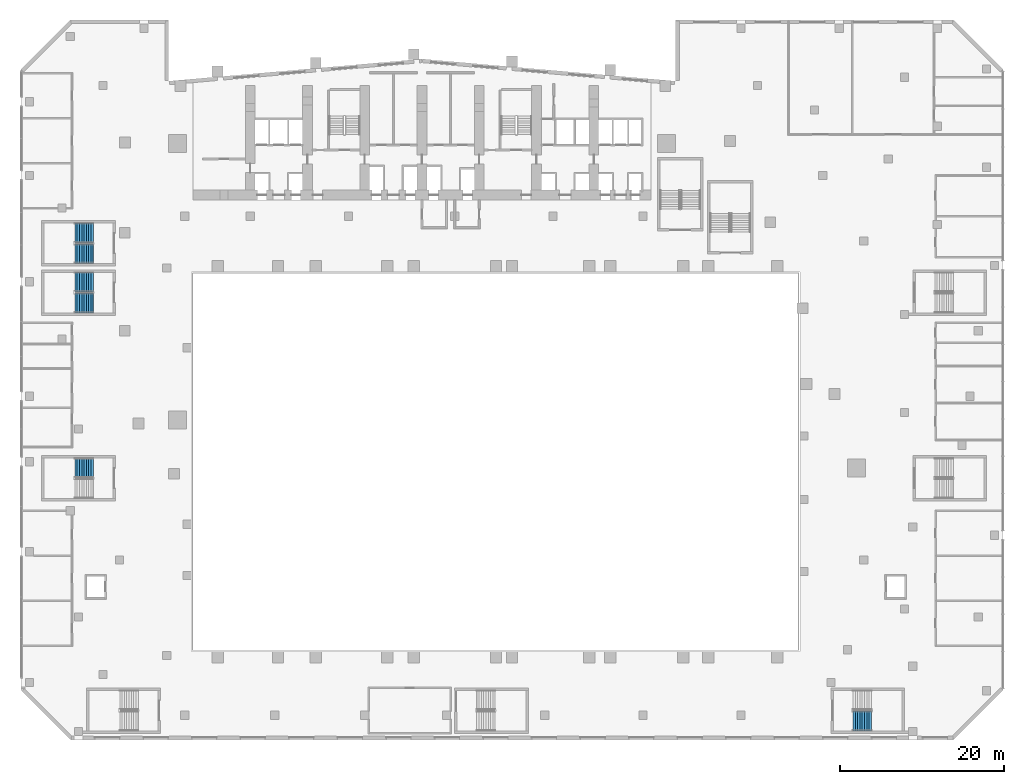
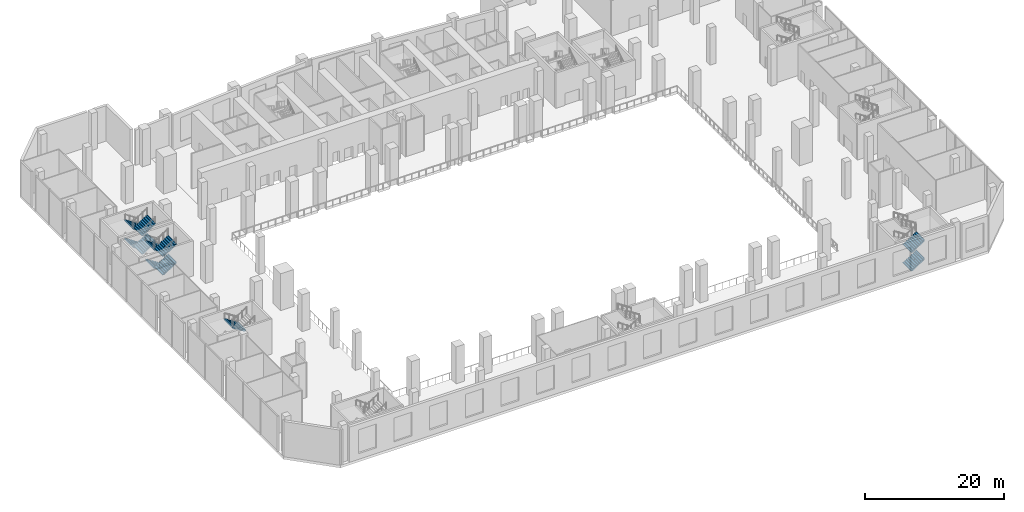
# One storey, part 19 of 30: 11 stair flights, 4 elements without a shape of their own.
"""IFC4 building model written with IfcOpenShell, lengths in metres."""

from ifc_helpers import new_model, si_unit, direction, frame, origin, place, context, subcontext, project, spatial, polyline, outline, extrude, material, type_object, element, aggregate, save


model = new_model("IFC4")

# Units and contexts
model_context = context("Model", 3, precision=1e-05, world=origin(), true_north=direction((0.0, 1.0)))
body_context = subcontext(model_context, "Body", "Model", "MODEL_VIEW")
ifc_project = project(units=[si_unit("LENGTHUNIT", "METRE"), si_unit("AREAUNIT", "SQUARE_METRE"), si_unit("VOLUMEUNIT", "CUBIC_METRE"), si_unit("PLANEANGLEUNIT", "RADIAN"), si_unit("MASSUNIT", "GRAM", prefix="KILO")], contexts=[model_context])

# Site, building, storey
site_placement = place(None, origin())
site = spatial("IfcSite", under=ifc_project, at=site_placement, CompositionType="ELEMENT")
building_placement = place(site_placement, origin())
building = spatial("IfcBuilding", under=site, at=building_placement, Name="Wharfspan Tower", CompositionType="ELEMENT")
storey_placement = place(building_placement, frame((0.0, 0.0, 15.0)))
storey = spatial("IfcBuildingStorey", under=building, at=storey_placement, Name="L02", CompositionType="ELEMENT", Elevation=15.0)

# Stair, stair flights
ifc_material = material(Name="Concrete C40/50", Category="concrete")
stair_type = type_object("IfcStairType", Name="Half-turn stair 2400 wide 36 risers 181 mm", PredefinedType="HALF_TURN_STAIR", material=ifc_material)
stair_1_placement = place(storey_placement, origin())
stair_1 = element("IfcStair", 1, at=stair_1_placement, inside=storey, type_object=stair_type, Name="L02 stair AS2", PredefinedType="HALF_TURN_STAIR")
stair_flight_type = type_object("IfcStairFlightType", Name="Stair flight 2400 wide 36 risers 181 mm", PredefinedType="STRAIGHT", material=ifc_material)
stair_flight_1_placement = place(storey_placement, frame((89.699951, -29.699951, 0.0), z_axis=(0.0, 0.0, 1.0), x_axis=(1.0, 0.0, 0.0)))
stair_flight_1 = element("IfcStairFlight", 2, at=stair_flight_1_placement, type_object=stair_flight_type, Name="AS2 flight 1", NumberOfRisers=9, NumberOfTreads=8, PredefinedType="STRAIGHT", RiserHeight=0.180556, TreadLength=0.28, context=body_context, shape_type="SweptSolid", body=[
    extrude(outline(polyline([(-0.011963, 0.0), (-0.011963, 0.180664), (0.0, 0.180664), (0.280029, 0.180664), (0.280029, 0.361084), (0.560059, 0.361084), (0.560059, 0.541748), (0.840088, 0.541748), (0.840088, 0.722168), (1.120117, 0.722168), (1.120117, 0.902832), (1.399902, 0.902832), (1.399902, 1.083252), (1.679932, 1.083252), (1.679932, 1.263916), (1.959961, 1.263916), (1.959961, 1.444336), (2.23999, 1.444336), (2.251953, 1.625), (2.251953, 1.266113), (0.276611, 0.0), (-0.011963, 0.0)])), frame((0.0, 1.199951, 0.0), z_axis=(0.0, -1.0, 0.0), x_axis=(1.0, 0.0, 0.0)), (0.0, 0.0, 1.0), 1.179443),
    extrude(outline(polyline([(-0.011963, 0.0), (-0.011963, 0.180664), (0.0, 0.180664), (0.280029, 0.180664), (0.280029, 0.361084), (0.560059, 0.361084), (0.560059, 0.541748), (0.840088, 0.541748), (0.840088, 0.722168), (1.120117, 0.722168), (1.120117, 0.902832), (1.399902, 0.902832), (1.399902, 1.083252), (1.679932, 1.083252), (1.679932, 1.263916), (1.959961, 1.263916), (1.959961, 1.444336), (2.23999, 1.444336), (2.251953, 1.625), (2.251953, 1.266113), (0.276611, 0.0), (-0.011963, 0.0)])), frame((0.0, 0.019531, 0.0), z_axis=(0.0, -1.0, 0.0), x_axis=(1.0, 0.0, 0.0)), (0.0, 0.0, 1.0), 0.019043),
    extrude(outline(polyline([(-0.011963, 0.0), (-0.011963, 0.180664), (0.0, 0.180664), (0.280029, 0.180664), (0.280029, 0.361084), (0.560059, 0.361084), (0.560059, 0.541748), (0.840088, 0.541748), (0.840088, 0.722168), (1.120117, 0.722168), (1.120117, 0.902832), (1.399902, 0.902832), (1.399902, 1.083252), (1.679932, 1.083252), (1.679932, 1.263916), (1.959961, 1.263916), (1.959961, 1.444336), (2.23999, 1.444336), (2.251953, 1.625), (2.251953, 1.266113), (0.276611, 0.0), (-0.011963, 0.0)])), frame((0.0, -0.000488, 0.0), z_axis=(0.0, -1.0, 0.0), x_axis=(1.0, 0.0, 0.0)), (0.0, 0.0, 1.0), 0.019043),
    extrude(outline(polyline([(-0.011963, 0.0), (-0.011963, 0.180664), (0.0, 0.180664), (0.280029, 0.180664), (0.280029, 0.361084), (0.560059, 0.361084), (0.560059, 0.541748), (0.840088, 0.541748), (0.840088, 0.722168), (1.120117, 0.722168), (1.120117, 0.902832), (1.399902, 0.902832), (1.399902, 1.083252), (1.679932, 1.083252), (1.679932, 1.263916), (1.959961, 1.263916), (1.959961, 1.444336), (2.23999, 1.444336), (2.251953, 1.625), (2.251953, 1.266113), (0.276611, 0.0), (-0.011963, 0.0)])), frame((0.0, -0.020508, 0.0), z_axis=(0.0, -1.0, 0.0), x_axis=(1.0, 0.0, 0.0)), (0.0, 0.0, 1.0), 1.179443),
])
stair_flight_2_placement = place(storey_placement, frame((89.699951, -29.699951, 3.25), z_axis=(0.0, 0.0, 1.0), x_axis=(1.0, 0.0, 0.0)))
stair_flight_2 = element("IfcStairFlight", 3, at=stair_flight_2_placement, type_object=stair_flight_type, Name="AS2 flight 3", NumberOfRisers=9, NumberOfTreads=8, PredefinedType="STRAIGHT", RiserHeight=0.180556, TreadLength=0.28, context=body_context, shape_type="SweptSolid", body=[
    extrude(outline(polyline([(-0.011963, 0.0), (-0.011963, 0.180664), (0.0, 0.180664), (0.280029, 0.180664), (0.280029, 0.361084), (0.560059, 0.361084), (0.560059, 0.541748), (0.840088, 0.541748), (0.840088, 0.722168), (1.120117, 0.722168), (1.120117, 0.902832), (1.399902, 0.902832), (1.399902, 1.083252), (1.679932, 1.083252), (1.679932, 1.263916), (1.959961, 1.263916), (1.959961, 1.444336), (2.23999, 1.444336), (2.251953, 1.625), (2.251953, 1.266113), (0.276611, 0.0), (-0.011963, 0.0)])), frame((0.0, 1.199951, 0.0), z_axis=(0.0, -1.0, 0.0), x_axis=(1.0, 0.0, 0.0)), (0.0, 0.0, 1.0), 1.179443),
    extrude(outline(polyline([(-0.011963, 0.0), (-0.011963, 0.180664), (0.0, 0.180664), (0.280029, 0.180664), (0.280029, 0.361084), (0.560059, 0.361084), (0.560059, 0.541748), (0.840088, 0.541748), (0.840088, 0.722168), (1.120117, 0.722168), (1.120117, 0.902832), (1.399902, 0.902832), (1.399902, 1.083252), (1.679932, 1.083252), (1.679932, 1.263916), (1.959961, 1.263916), (1.959961, 1.444336), (2.23999, 1.444336), (2.251953, 1.625), (2.251953, 1.266113), (0.276611, 0.0), (-0.011963, 0.0)])), frame((0.0, 0.019531, 0.0), z_axis=(0.0, -1.0, 0.0), x_axis=(1.0, 0.0, 0.0)), (0.0, 0.0, 1.0), 0.019043),
    extrude(outline(polyline([(-0.011963, 0.0), (-0.011963, 0.180664), (0.0, 0.180664), (0.280029, 0.180664), (0.280029, 0.361084), (0.560059, 0.361084), (0.560059, 0.541748), (0.840088, 0.541748), (0.840088, 0.722168), (1.120117, 0.722168), (1.120117, 0.902832), (1.399902, 0.902832), (1.399902, 1.083252), (1.679932, 1.083252), (1.679932, 1.263916), (1.959961, 1.263916), (1.959961, 1.444336), (2.23999, 1.444336), (2.251953, 1.625), (2.251953, 1.266113), (0.276611, 0.0), (-0.011963, 0.0)])), frame((0.0, -0.000488, 0.0), z_axis=(0.0, -1.0, 0.0), x_axis=(1.0, 0.0, 0.0)), (0.0, 0.0, 1.0), 0.019043),
    extrude(outline(polyline([(-0.011963, 0.0), (-0.011963, 0.180664), (0.0, 0.180664), (0.280029, 0.180664), (0.280029, 0.361084), (0.560059, 0.361084), (0.560059, 0.541748), (0.840088, 0.541748), (0.840088, 0.722168), (1.120117, 0.722168), (1.120117, 0.902832), (1.399902, 0.902832), (1.399902, 1.083252), (1.679932, 1.083252), (1.679932, 1.263916), (1.959961, 1.263916), (1.959961, 1.444336), (2.23999, 1.444336), (2.251953, 1.625), (2.251953, 1.266113), (0.276611, 0.0), (-0.011963, 0.0)])), frame((0.0, -0.020508, 0.0), z_axis=(0.0, -1.0, 0.0), x_axis=(1.0, 0.0, 0.0)), (0.0, 0.0, 1.0), 1.179443),
])
aggregate(stair_1, [stair_flight_1, stair_flight_2])

# Stair, stair flight
stair_2_placement = place(storey_placement, origin())
stair_2 = element("IfcStair", 4, at=stair_2_placement, inside=storey, type_object=stair_type, Name="L02 stair AS7", PredefinedType="HALF_TURN_STAIR")
stair_flight_3_placement = place(storey_placement, frame((-3.199951, 1.25, 3.25), z_axis=(0.0, 0.0, 1.0), x_axis=(-1.0, 0.0, 0.0)))
stair_flight_3 = element("IfcStairFlight", 5, at=stair_flight_3_placement, type_object=stair_flight_type, Name="AS7 flight 3", NumberOfRisers=9, NumberOfTreads=8, PredefinedType="STRAIGHT", RiserHeight=0.180556, TreadLength=0.28, context=body_context, shape_type="SweptSolid", body=[
    extrude(outline(polyline([(-0.011963, 0.0), (-0.011963, 0.180664), (0.0, 0.180664), (0.280029, 0.180664), (0.280029, 0.361084), (0.560059, 0.361084), (0.560059, 0.541748), (0.840088, 0.541748), (0.840088, 0.722168), (1.120117, 0.722168), (1.120117, 0.902832), (1.399902, 0.902832), (1.399902, 1.083252), (1.679932, 1.083252), (1.679932, 1.263916), (1.959961, 1.263916), (1.959961, 1.444336), (2.23999, 1.444336), (2.251953, 1.625), (2.251953, 1.266113), (0.276611, 0.0), (-0.011963, 0.0)])), frame((0.0, 1.199951, 0.0), z_axis=(0.0, -1.0, 0.0), x_axis=(1.0, 0.0, 0.0)), (0.0, 0.0, 1.0), 1.179443),
    extrude(outline(polyline([(-0.011963, 0.0), (-0.011963, 0.180664), (0.0, 0.180664), (0.280029, 0.180664), (0.280029, 0.361084), (0.560059, 0.361084), (0.560059, 0.541748), (0.840088, 0.541748), (0.840088, 0.722168), (1.120117, 0.722168), (1.120117, 0.902832), (1.399902, 0.902832), (1.399902, 1.083252), (1.679932, 1.083252), (1.679932, 1.263916), (1.959961, 1.263916), (1.959961, 1.444336), (2.23999, 1.444336), (2.251953, 1.625), (2.251953, 1.266113), (0.276611, 0.0), (-0.011963, 0.0)])), frame((0.0, 0.019531, 0.0), z_axis=(0.0, -1.0, 0.0), x_axis=(1.0, 0.0, 0.0)), (0.0, 0.0, 1.0), 0.019043),
    extrude(outline(polyline([(-0.011963, 0.0), (-0.011963, 0.180664), (0.0, 0.180664), (0.280029, 0.180664), (0.280029, 0.361084), (0.560059, 0.361084), (0.560059, 0.541748), (0.840088, 0.541748), (0.840088, 0.722168), (1.120117, 0.722168), (1.120117, 0.902832), (1.399902, 0.902832), (1.399902, 1.083252), (1.679932, 1.083252), (1.679932, 1.263916), (1.959961, 1.263916), (1.959961, 1.444336), (2.23999, 1.444336), (2.251953, 1.625), (2.251953, 1.266113), (0.276611, 0.0), (-0.011963, 0.0)])), frame((0.0, -0.000488, 0.0), z_axis=(0.0, -1.0, 0.0), x_axis=(1.0, 0.0, 0.0)), (0.0, 0.0, 1.0), 0.019043),
    extrude(outline(polyline([(-0.011963, 0.0), (-0.011963, 0.180664), (0.0, 0.180664), (0.280029, 0.180664), (0.280029, 0.361084), (0.560059, 0.361084), (0.560059, 0.541748), (0.840088, 0.541748), (0.840088, 0.722168), (1.120117, 0.722168), (1.120117, 0.902832), (1.399902, 0.902832), (1.399902, 1.083252), (1.679932, 1.083252), (1.679932, 1.263916), (1.959961, 1.263916), (1.959961, 1.444336), (2.23999, 1.444336), (2.251953, 1.625), (2.251953, 1.266113), (0.276611, 0.0), (-0.011963, 0.0)])), frame((0.0, -0.020508, 0.0), z_axis=(0.0, -1.0, 0.0), x_axis=(1.0, 0.0, 0.0)), (0.0, 0.0, 1.0), 1.179443),
])
aggregate(stair_2, [stair_flight_3])

# Stair, stair flights
stair_3_placement = place(storey_placement, origin())
stair_3 = element("IfcStair", 6, at=stair_3_placement, inside=storey, type_object=stair_type, Name="L02 stair AS3", PredefinedType="HALF_TURN_STAIR")
stair_flight_4_placement = place(storey_placement, frame((-3.199951, 23.949951, 0.0), z_axis=(0.0, 0.0, 1.0), x_axis=(-1.0, 0.0, 0.0)))
stair_flight_4 = element("IfcStairFlight", 7, at=stair_flight_4_placement, type_object=stair_flight_type, Name="AS3 flight 1", NumberOfRisers=9, NumberOfTreads=8, PredefinedType="STRAIGHT", RiserHeight=0.180556, TreadLength=0.28, context=body_context, shape_type="SweptSolid", body=[
    extrude(outline(polyline([(-0.011963, 0.0), (-0.011963, 0.180664), (0.0, 0.180664), (0.280029, 0.180664), (0.280029, 0.361084), (0.560059, 0.361084), (0.560059, 0.541748), (0.840088, 0.541748), (0.840088, 0.722168), (1.120117, 0.722168), (1.120117, 0.902832), (1.399902, 0.902832), (1.399902, 1.083252), (1.679932, 1.083252), (1.679932, 1.263916), (1.959961, 1.263916), (1.959961, 1.444336), (2.23999, 1.444336), (2.251953, 1.625), (2.251953, 1.266113), (0.276611, 0.0), (-0.011963, 0.0)])), frame((0.0, 1.199951, 0.0), z_axis=(0.0, -1.0, 0.0), x_axis=(1.0, 0.0, 0.0)), (0.0, 0.0, 1.0), 1.179443),
    extrude(outline(polyline([(-0.011963, 0.0), (-0.011963, 0.180664), (0.0, 0.180664), (0.280029, 0.180664), (0.280029, 0.361084), (0.560059, 0.361084), (0.560059, 0.541748), (0.840088, 0.541748), (0.840088, 0.722168), (1.120117, 0.722168), (1.120117, 0.902832), (1.399902, 0.902832), (1.399902, 1.083252), (1.679932, 1.083252), (1.679932, 1.263916), (1.959961, 1.263916), (1.959961, 1.444336), (2.23999, 1.444336), (2.251953, 1.625), (2.251953, 1.266113), (0.276611, 0.0), (-0.011963, 0.0)])), frame((0.0, 0.019531, 0.0), z_axis=(0.0, -1.0, 0.0), x_axis=(1.0, 0.0, 0.0)), (0.0, 0.0, 1.0), 0.019043),
    extrude(outline(polyline([(-0.011963, 0.0), (-0.011963, 0.180664), (0.0, 0.180664), (0.280029, 0.180664), (0.280029, 0.361084), (0.560059, 0.361084), (0.560059, 0.541748), (0.840088, 0.541748), (0.840088, 0.722168), (1.120117, 0.722168), (1.120117, 0.902832), (1.399902, 0.902832), (1.399902, 1.083252), (1.679932, 1.083252), (1.679932, 1.263916), (1.959961, 1.263916), (1.959961, 1.444336), (2.23999, 1.444336), (2.251953, 1.625), (2.251953, 1.266113), (0.276611, 0.0), (-0.011963, 0.0)])), frame((0.0, -0.000488, 0.0), z_axis=(0.0, -1.0, 0.0), x_axis=(1.0, 0.0, 0.0)), (0.0, 0.0, 1.0), 0.019043),
    extrude(outline(polyline([(-0.011963, 0.0), (-0.011963, 0.180664), (0.0, 0.180664), (0.280029, 0.180664), (0.280029, 0.361084), (0.560059, 0.361084), (0.560059, 0.541748), (0.840088, 0.541748), (0.840088, 0.722168), (1.120117, 0.722168), (1.120117, 0.902832), (1.399902, 0.902832), (1.399902, 1.083252), (1.679932, 1.083252), (1.679932, 1.263916), (1.959961, 1.263916), (1.959961, 1.444336), (2.23999, 1.444336), (2.251953, 1.625), (2.251953, 1.266113), (0.276611, 0.0), (-0.011963, 0.0)])), frame((0.0, -0.020508, 0.0), z_axis=(0.0, -1.0, 0.0), x_axis=(1.0, 0.0, 0.0)), (0.0, 0.0, 1.0), 1.179443),
])
stair_flight_5_placement = place(storey_placement, frame((-5.439941, 21.399902, 1.625), z_axis=(0.0, 0.0, 1.0), x_axis=(1.0, 0.0, 0.0)))
stair_flight_5 = element("IfcStairFlight", 8, at=stair_flight_5_placement, type_object=stair_flight_type, Name="AS3 flight 2", NumberOfRisers=9, NumberOfTreads=8, PredefinedType="STRAIGHT", RiserHeight=0.180556, TreadLength=0.28, context=body_context, shape_type="SweptSolid", body=[
    extrude(outline(polyline([(-0.011963, 0.0), (-0.011963, 0.180664), (0.0, 0.180664), (0.280029, 0.180664), (0.280029, 0.361084), (0.560059, 0.361084), (0.560059, 0.541748), (0.840088, 0.541748), (0.840088, 0.722168), (1.120117, 0.722168), (1.120117, 0.902832), (1.399902, 0.902832), (1.399902, 1.083252), (1.679932, 1.083252), (1.679932, 1.263916), (1.959961, 1.263916), (1.959961, 1.444336), (2.23999, 1.444336), (2.251953, 1.625), (2.251953, 1.266113), (0.276611, 0.0), (-0.011963, 0.0)])), frame((0.0, 1.199951, 0.0), z_axis=(0.0, -1.0, 0.0), x_axis=(1.0, 0.0, 0.0)), (0.0, 0.0, 1.0), 1.179443),
    extrude(outline(polyline([(-0.011963, 0.0), (-0.011963, 0.180664), (0.0, 0.180664), (0.280029, 0.180664), (0.280029, 0.361084), (0.560059, 0.361084), (0.560059, 0.541748), (0.840088, 0.541748), (0.840088, 0.722168), (1.120117, 0.722168), (1.120117, 0.902832), (1.399902, 0.902832), (1.399902, 1.083252), (1.679932, 1.083252), (1.679932, 1.263916), (1.959961, 1.263916), (1.959961, 1.444336), (2.23999, 1.444336), (2.251953, 1.625), (2.251953, 1.266113), (0.276611, 0.0), (-0.011963, 0.0)])), frame((0.0, 0.019531, 0.0), z_axis=(0.0, -1.0, 0.0), x_axis=(1.0, 0.0, 0.0)), (0.0, 0.0, 1.0), 0.019043),
    extrude(outline(polyline([(-0.011963, 0.0), (-0.011963, 0.180664), (0.0, 0.180664), (0.280029, 0.180664), (0.280029, 0.361084), (0.560059, 0.361084), (0.560059, 0.541748), (0.840088, 0.541748), (0.840088, 0.722168), (1.120117, 0.722168), (1.120117, 0.902832), (1.399902, 0.902832), (1.399902, 1.083252), (1.679932, 1.083252), (1.679932, 1.263916), (1.959961, 1.263916), (1.959961, 1.444336), (2.23999, 1.444336), (2.251953, 1.625), (2.251953, 1.266113), (0.276611, 0.0), (-0.011963, 0.0)])), frame((0.0, -0.000488, 0.0), z_axis=(0.0, -1.0, 0.0), x_axis=(1.0, 0.0, 0.0)), (0.0, 0.0, 1.0), 0.019043),
    extrude(outline(polyline([(-0.011963, 0.0), (-0.011963, 0.180664), (0.0, 0.180664), (0.280029, 0.180664), (0.280029, 0.361084), (0.560059, 0.361084), (0.560059, 0.541748), (0.840088, 0.541748), (0.840088, 0.722168), (1.120117, 0.722168), (1.120117, 0.902832), (1.399902, 0.902832), (1.399902, 1.083252), (1.679932, 1.083252), (1.679932, 1.263916), (1.959961, 1.263916), (1.959961, 1.444336), (2.23999, 1.444336), (2.251953, 1.625), (2.251953, 1.266113), (0.276611, 0.0), (-0.011963, 0.0)])), frame((0.0, -0.020508, 0.0), z_axis=(0.0, -1.0, 0.0), x_axis=(1.0, 0.0, 0.0)), (0.0, 0.0, 1.0), 1.179443),
])
stair_flight_6_placement = place(storey_placement, frame((-3.199951, 23.949951, 3.25), z_axis=(0.0, 0.0, 1.0), x_axis=(-1.0, 0.0, 0.0)))
stair_flight_6 = element("IfcStairFlight", 9, at=stair_flight_6_placement, type_object=stair_flight_type, Name="AS3 flight 3", NumberOfRisers=9, NumberOfTreads=8, PredefinedType="STRAIGHT", RiserHeight=0.180556, TreadLength=0.28, context=body_context, shape_type="SweptSolid", body=[
    extrude(outline(polyline([(-0.011963, 0.0), (-0.011963, 0.180664), (0.0, 0.180664), (0.280029, 0.180664), (0.280029, 0.361084), (0.560059, 0.361084), (0.560059, 0.541748), (0.840088, 0.541748), (0.840088, 0.722168), (1.120117, 0.722168), (1.120117, 0.902832), (1.399902, 0.902832), (1.399902, 1.083252), (1.679932, 1.083252), (1.679932, 1.263916), (1.959961, 1.263916), (1.959961, 1.444336), (2.23999, 1.444336), (2.251953, 1.625), (2.251953, 1.266113), (0.276611, 0.0), (-0.011963, 0.0)])), frame((0.0, 1.199951, 0.0), z_axis=(0.0, -1.0, 0.0), x_axis=(1.0, 0.0, 0.0)), (0.0, 0.0, 1.0), 1.179443),
    extrude(outline(polyline([(-0.011963, 0.0), (-0.011963, 0.180664), (0.0, 0.180664), (0.280029, 0.180664), (0.280029, 0.361084), (0.560059, 0.361084), (0.560059, 0.541748), (0.840088, 0.541748), (0.840088, 0.722168), (1.120117, 0.722168), (1.120117, 0.902832), (1.399902, 0.902832), (1.399902, 1.083252), (1.679932, 1.083252), (1.679932, 1.263916), (1.959961, 1.263916), (1.959961, 1.444336), (2.23999, 1.444336), (2.251953, 1.625), (2.251953, 1.266113), (0.276611, 0.0), (-0.011963, 0.0)])), frame((0.0, 0.019531, 0.0), z_axis=(0.0, -1.0, 0.0), x_axis=(1.0, 0.0, 0.0)), (0.0, 0.0, 1.0), 0.019043),
    extrude(outline(polyline([(-0.011963, 0.0), (-0.011963, 0.180664), (0.0, 0.180664), (0.280029, 0.180664), (0.280029, 0.361084), (0.560059, 0.361084), (0.560059, 0.541748), (0.840088, 0.541748), (0.840088, 0.722168), (1.120117, 0.722168), (1.120117, 0.902832), (1.399902, 0.902832), (1.399902, 1.083252), (1.679932, 1.083252), (1.679932, 1.263916), (1.959961, 1.263916), (1.959961, 1.444336), (2.23999, 1.444336), (2.251953, 1.625), (2.251953, 1.266113), (0.276611, 0.0), (-0.011963, 0.0)])), frame((0.0, -0.000488, 0.0), z_axis=(0.0, -1.0, 0.0), x_axis=(1.0, 0.0, 0.0)), (0.0, 0.0, 1.0), 0.019043),
    extrude(outline(polyline([(-0.011963, 0.0), (-0.011963, 0.180664), (0.0, 0.180664), (0.280029, 0.180664), (0.280029, 0.361084), (0.560059, 0.361084), (0.560059, 0.541748), (0.840088, 0.541748), (0.840088, 0.722168), (1.120117, 0.722168), (1.120117, 0.902832), (1.399902, 0.902832), (1.399902, 1.083252), (1.679932, 1.083252), (1.679932, 1.263916), (1.959961, 1.263916), (1.959961, 1.444336), (2.23999, 1.444336), (2.251953, 1.625), (2.251953, 1.266113), (0.276611, 0.0), (-0.011963, 0.0)])), frame((0.0, -0.020508, 0.0), z_axis=(0.0, -1.0, 0.0), x_axis=(1.0, 0.0, 0.0)), (0.0, 0.0, 1.0), 1.179443),
])
stair_flight_7_placement = place(storey_placement, frame((-5.439941, 21.399902, 4.875), z_axis=(0.0, 0.0, 1.0), x_axis=(1.0, 0.0, 0.0)))
stair_flight_7 = element("IfcStairFlight", 10, at=stair_flight_7_placement, type_object=stair_flight_type, Name="AS3 flight 4", NumberOfRisers=9, NumberOfTreads=8, PredefinedType="STRAIGHT", RiserHeight=0.180556, TreadLength=0.28, context=body_context, shape_type="SweptSolid", body=[
    extrude(outline(polyline([(-0.011963, 0.0), (-0.011963, 0.180664), (0.0, 0.180664), (0.280029, 0.180664), (0.280029, 0.361084), (0.560059, 0.361084), (0.560059, 0.541748), (0.840088, 0.541748), (0.840088, 0.722168), (1.120117, 0.722168), (1.120117, 0.902832), (1.399902, 0.902832), (1.399902, 1.083252), (1.679932, 1.083252), (1.679932, 1.263916), (1.959961, 1.263916), (1.959961, 1.444336), (2.23999, 1.444336), (2.251953, 1.625), (2.251953, 1.266113), (0.276611, 0.0), (-0.011963, 0.0)])), frame((0.0, 1.199951, 0.0), z_axis=(0.0, -1.0, 0.0), x_axis=(1.0, 0.0, 0.0)), (0.0, 0.0, 1.0), 1.179443),
    extrude(outline(polyline([(-0.011963, 0.0), (-0.011963, 0.180664), (0.0, 0.180664), (0.280029, 0.180664), (0.280029, 0.361084), (0.560059, 0.361084), (0.560059, 0.541748), (0.840088, 0.541748), (0.840088, 0.722168), (1.120117, 0.722168), (1.120117, 0.902832), (1.399902, 0.902832), (1.399902, 1.083252), (1.679932, 1.083252), (1.679932, 1.263916), (1.959961, 1.263916), (1.959961, 1.444336), (2.23999, 1.444336), (2.251953, 1.625), (2.251953, 1.266113), (0.276611, 0.0), (-0.011963, 0.0)])), frame((0.0, 0.019531, 0.0), z_axis=(0.0, -1.0, 0.0), x_axis=(1.0, 0.0, 0.0)), (0.0, 0.0, 1.0), 0.019043),
    extrude(outline(polyline([(-0.011963, 0.0), (-0.011963, 0.180664), (0.0, 0.180664), (0.280029, 0.180664), (0.280029, 0.361084), (0.560059, 0.361084), (0.560059, 0.541748), (0.840088, 0.541748), (0.840088, 0.722168), (1.120117, 0.722168), (1.120117, 0.902832), (1.399902, 0.902832), (1.399902, 1.083252), (1.679932, 1.083252), (1.679932, 1.263916), (1.959961, 1.263916), (1.959961, 1.444336), (2.23999, 1.444336), (2.251953, 1.625), (2.251953, 1.266113), (0.276611, 0.0), (-0.011963, 0.0)])), frame((0.0, -0.000488, 0.0), z_axis=(0.0, -1.0, 0.0), x_axis=(1.0, 0.0, 0.0)), (0.0, 0.0, 1.0), 0.019043),
    extrude(outline(polyline([(-0.011963, 0.0), (-0.011963, 0.180664), (0.0, 0.180664), (0.280029, 0.180664), (0.280029, 0.361084), (0.560059, 0.361084), (0.560059, 0.541748), (0.840088, 0.541748), (0.840088, 0.722168), (1.120117, 0.722168), (1.120117, 0.902832), (1.399902, 0.902832), (1.399902, 1.083252), (1.679932, 1.083252), (1.679932, 1.263916), (1.959961, 1.263916), (1.959961, 1.444336), (2.23999, 1.444336), (2.251953, 1.625), (2.251953, 1.266113), (0.276611, 0.0), (-0.011963, 0.0)])), frame((0.0, -0.020508, 0.0), z_axis=(0.0, -1.0, 0.0), x_axis=(1.0, 0.0, 0.0)), (0.0, 0.0, 1.0), 1.179443),
])
aggregate(stair_3, [stair_flight_4, stair_flight_5, stair_flight_6, stair_flight_7])

stair_4_placement = place(storey_placement, origin())
stair_4 = element("IfcStair", 11, at=stair_4_placement, inside=storey, type_object=stair_type, Name="L02 stair PS3", PredefinedType="HALF_TURN_STAIR")
stair_flight_8_placement = place(storey_placement, frame((-3.199951, 29.975098, 0.0), z_axis=(0.0, 0.0, 1.0), x_axis=(-1.0, 0.0, 0.0)))
stair_flight_8 = element("IfcStairFlight", 12, at=stair_flight_8_placement, type_object=stair_flight_type, Name="PS3 flight 1", NumberOfRisers=9, NumberOfTreads=8, PredefinedType="STRAIGHT", RiserHeight=0.180556, TreadLength=0.28, context=body_context, shape_type="SweptSolid", body=[
    extrude(outline(polyline([(-0.011963, 0.0), (-0.011963, 0.180664), (0.0, 0.180664), (0.280029, 0.180664), (0.280029, 0.361084), (0.560059, 0.361084), (0.560059, 0.541748), (0.840088, 0.541748), (0.840088, 0.722168), (1.120117, 0.722168), (1.120117, 0.902832), (1.399902, 0.902832), (1.399902, 1.083252), (1.679932, 1.083252), (1.679932, 1.263916), (1.959961, 1.263916), (1.959961, 1.444336), (2.23999, 1.444336), (2.251953, 1.625), (2.251953, 1.266113), (0.276611, 0.0), (-0.011963, 0.0)])), frame((0.0, 1.199951, 0.0), z_axis=(0.0, -1.0, 0.0), x_axis=(1.0, 0.0, 0.0)), (0.0, 0.0, 1.0), 1.179443),
    extrude(outline(polyline([(-0.011963, 0.0), (-0.011963, 0.180664), (0.0, 0.180664), (0.280029, 0.180664), (0.280029, 0.361084), (0.560059, 0.361084), (0.560059, 0.541748), (0.840088, 0.541748), (0.840088, 0.722168), (1.120117, 0.722168), (1.120117, 0.902832), (1.399902, 0.902832), (1.399902, 1.083252), (1.679932, 1.083252), (1.679932, 1.263916), (1.959961, 1.263916), (1.959961, 1.444336), (2.23999, 1.444336), (2.251953, 1.625), (2.251953, 1.266113), (0.276611, 0.0), (-0.011963, 0.0)])), frame((0.0, 0.019531, 0.0), z_axis=(0.0, -1.0, 0.0), x_axis=(1.0, 0.0, 0.0)), (0.0, 0.0, 1.0), 0.019043),
    extrude(outline(polyline([(-0.011963, 0.0), (-0.011963, 0.180664), (0.0, 0.180664), (0.280029, 0.180664), (0.280029, 0.361084), (0.560059, 0.361084), (0.560059, 0.541748), (0.840088, 0.541748), (0.840088, 0.722168), (1.120117, 0.722168), (1.120117, 0.902832), (1.399902, 0.902832), (1.399902, 1.083252), (1.679932, 1.083252), (1.679932, 1.263916), (1.959961, 1.263916), (1.959961, 1.444336), (2.23999, 1.444336), (2.251953, 1.625), (2.251953, 1.266113), (0.276611, 0.0), (-0.011963, 0.0)])), frame((0.0, -0.000488, 0.0), z_axis=(0.0, -1.0, 0.0), x_axis=(1.0, 0.0, 0.0)), (0.0, 0.0, 1.0), 0.019043),
    extrude(outline(polyline([(-0.011963, 0.0), (-0.011963, 0.180664), (0.0, 0.180664), (0.280029, 0.180664), (0.280029, 0.361084), (0.560059, 0.361084), (0.560059, 0.541748), (0.840088, 0.541748), (0.840088, 0.722168), (1.120117, 0.722168), (1.120117, 0.902832), (1.399902, 0.902832), (1.399902, 1.083252), (1.679932, 1.083252), (1.679932, 1.263916), (1.959961, 1.263916), (1.959961, 1.444336), (2.23999, 1.444336), (2.251953, 1.625), (2.251953, 1.266113), (0.276611, 0.0), (-0.011963, 0.0)])), frame((0.0, -0.020508, 0.0), z_axis=(0.0, -1.0, 0.0), x_axis=(1.0, 0.0, 0.0)), (0.0, 0.0, 1.0), 1.179443),
])
stair_flight_9_placement = place(storey_placement, frame((-5.439941, 27.425049, 1.625), z_axis=(0.0, 0.0, 1.0), x_axis=(1.0, 0.0, 0.0)))
stair_flight_9 = element("IfcStairFlight", 13, at=stair_flight_9_placement, type_object=stair_flight_type, Name="PS3 flight 2", NumberOfRisers=9, NumberOfTreads=8, PredefinedType="STRAIGHT", RiserHeight=0.180556, TreadLength=0.28, context=body_context, shape_type="SweptSolid", body=[
    extrude(outline(polyline([(-0.011963, 0.0), (-0.011963, 0.180664), (0.0, 0.180664), (0.280029, 0.180664), (0.280029, 0.361084), (0.560059, 0.361084), (0.560059, 0.541748), (0.840088, 0.541748), (0.840088, 0.722168), (1.120117, 0.722168), (1.120117, 0.902832), (1.399902, 0.902832), (1.399902, 1.083252), (1.679932, 1.083252), (1.679932, 1.263916), (1.959961, 1.263916), (1.959961, 1.444336), (2.23999, 1.444336), (2.251953, 1.625), (2.251953, 1.266113), (0.276611, 0.0), (-0.011963, 0.0)])), frame((0.0, 1.199951, 0.0), z_axis=(0.0, -1.0, 0.0), x_axis=(1.0, 0.0, 0.0)), (0.0, 0.0, 1.0), 1.179443),
    extrude(outline(polyline([(-0.011963, 0.0), (-0.011963, 0.180664), (0.0, 0.180664), (0.280029, 0.180664), (0.280029, 0.361084), (0.560059, 0.361084), (0.560059, 0.541748), (0.840088, 0.541748), (0.840088, 0.722168), (1.120117, 0.722168), (1.120117, 0.902832), (1.399902, 0.902832), (1.399902, 1.083252), (1.679932, 1.083252), (1.679932, 1.263916), (1.959961, 1.263916), (1.959961, 1.444336), (2.23999, 1.444336), (2.251953, 1.625), (2.251953, 1.266113), (0.276611, 0.0), (-0.011963, 0.0)])), frame((0.0, 0.019531, 0.0), z_axis=(0.0, -1.0, 0.0), x_axis=(1.0, 0.0, 0.0)), (0.0, 0.0, 1.0), 0.019043),
    extrude(outline(polyline([(-0.011963, 0.0), (-0.011963, 0.180664), (0.0, 0.180664), (0.280029, 0.180664), (0.280029, 0.361084), (0.560059, 0.361084), (0.560059, 0.541748), (0.840088, 0.541748), (0.840088, 0.722168), (1.120117, 0.722168), (1.120117, 0.902832), (1.399902, 0.902832), (1.399902, 1.083252), (1.679932, 1.083252), (1.679932, 1.263916), (1.959961, 1.263916), (1.959961, 1.444336), (2.23999, 1.444336), (2.251953, 1.625), (2.251953, 1.266113), (0.276611, 0.0), (-0.011963, 0.0)])), frame((0.0, -0.000488, 0.0), z_axis=(0.0, -1.0, 0.0), x_axis=(1.0, 0.0, 0.0)), (0.0, 0.0, 1.0), 0.019043),
    extrude(outline(polyline([(-0.011963, 0.0), (-0.011963, 0.180664), (0.0, 0.180664), (0.280029, 0.180664), (0.280029, 0.361084), (0.560059, 0.361084), (0.560059, 0.541748), (0.840088, 0.541748), (0.840088, 0.722168), (1.120117, 0.722168), (1.120117, 0.902832), (1.399902, 0.902832), (1.399902, 1.083252), (1.679932, 1.083252), (1.679932, 1.263916), (1.959961, 1.263916), (1.959961, 1.444336), (2.23999, 1.444336), (2.251953, 1.625), (2.251953, 1.266113), (0.276611, 0.0), (-0.011963, 0.0)])), frame((0.0, -0.020508, 0.0), z_axis=(0.0, -1.0, 0.0), x_axis=(1.0, 0.0, 0.0)), (0.0, 0.0, 1.0), 1.179443),
])
stair_flight_10_placement = place(storey_placement, frame((-3.199951, 29.975098, 3.25), z_axis=(0.0, 0.0, 1.0), x_axis=(-1.0, 0.0, 0.0)))
stair_flight_10 = element("IfcStairFlight", 14, at=stair_flight_10_placement, type_object=stair_flight_type, Name="PS3 flight 3", NumberOfRisers=9, NumberOfTreads=8, PredefinedType="STRAIGHT", RiserHeight=0.180556, TreadLength=0.28, context=body_context, shape_type="SweptSolid", body=[
    extrude(outline(polyline([(-0.011963, 0.0), (-0.011963, 0.180664), (0.0, 0.180664), (0.280029, 0.180664), (0.280029, 0.361084), (0.560059, 0.361084), (0.560059, 0.541748), (0.840088, 0.541748), (0.840088, 0.722168), (1.120117, 0.722168), (1.120117, 0.902832), (1.399902, 0.902832), (1.399902, 1.083252), (1.679932, 1.083252), (1.679932, 1.263916), (1.959961, 1.263916), (1.959961, 1.444336), (2.23999, 1.444336), (2.251953, 1.625), (2.251953, 1.266113), (0.276611, 0.0), (-0.011963, 0.0)])), frame((0.0, 1.199951, 0.0), z_axis=(0.0, -1.0, 0.0), x_axis=(1.0, 0.0, 0.0)), (0.0, 0.0, 1.0), 1.179443),
    extrude(outline(polyline([(-0.011963, 0.0), (-0.011963, 0.180664), (0.0, 0.180664), (0.280029, 0.180664), (0.280029, 0.361084), (0.560059, 0.361084), (0.560059, 0.541748), (0.840088, 0.541748), (0.840088, 0.722168), (1.120117, 0.722168), (1.120117, 0.902832), (1.399902, 0.902832), (1.399902, 1.083252), (1.679932, 1.083252), (1.679932, 1.263916), (1.959961, 1.263916), (1.959961, 1.444336), (2.23999, 1.444336), (2.251953, 1.625), (2.251953, 1.266113), (0.276611, 0.0), (-0.011963, 0.0)])), frame((0.0, 0.019531, 0.0), z_axis=(0.0, -1.0, 0.0), x_axis=(1.0, 0.0, 0.0)), (0.0, 0.0, 1.0), 0.019043),
    extrude(outline(polyline([(-0.011963, 0.0), (-0.011963, 0.180664), (0.0, 0.180664), (0.280029, 0.180664), (0.280029, 0.361084), (0.560059, 0.361084), (0.560059, 0.541748), (0.840088, 0.541748), (0.840088, 0.722168), (1.120117, 0.722168), (1.120117, 0.902832), (1.399902, 0.902832), (1.399902, 1.083252), (1.679932, 1.083252), (1.679932, 1.263916), (1.959961, 1.263916), (1.959961, 1.444336), (2.23999, 1.444336), (2.251953, 1.625), (2.251953, 1.266113), (0.276611, 0.0), (-0.011963, 0.0)])), frame((0.0, -0.000488, 0.0), z_axis=(0.0, -1.0, 0.0), x_axis=(1.0, 0.0, 0.0)), (0.0, 0.0, 1.0), 0.019043),
    extrude(outline(polyline([(-0.011963, 0.0), (-0.011963, 0.180664), (0.0, 0.180664), (0.280029, 0.180664), (0.280029, 0.361084), (0.560059, 0.361084), (0.560059, 0.541748), (0.840088, 0.541748), (0.840088, 0.722168), (1.120117, 0.722168), (1.120117, 0.902832), (1.399902, 0.902832), (1.399902, 1.083252), (1.679932, 1.083252), (1.679932, 1.263916), (1.959961, 1.263916), (1.959961, 1.444336), (2.23999, 1.444336), (2.251953, 1.625), (2.251953, 1.266113), (0.276611, 0.0), (-0.011963, 0.0)])), frame((0.0, -0.020508, 0.0), z_axis=(0.0, -1.0, 0.0), x_axis=(1.0, 0.0, 0.0)), (0.0, 0.0, 1.0), 1.179443),
])
stair_flight_11_placement = place(storey_placement, frame((-5.439941, 27.425049, 4.875), z_axis=(0.0, 0.0, 1.0), x_axis=(1.0, 0.0, 0.0)))
stair_flight_11 = element("IfcStairFlight", 15, at=stair_flight_11_placement, type_object=stair_flight_type, Name="PS3 flight 4", NumberOfRisers=9, NumberOfTreads=8, PredefinedType="STRAIGHT", RiserHeight=0.180556, TreadLength=0.28, context=body_context, shape_type="SweptSolid", body=[
    extrude(outline(polyline([(-0.011963, 0.0), (-0.011963, 0.180664), (0.0, 0.180664), (0.280029, 0.180664), (0.280029, 0.361084), (0.560059, 0.361084), (0.560059, 0.541748), (0.840088, 0.541748), (0.840088, 0.722168), (1.120117, 0.722168), (1.120117, 0.902832), (1.399902, 0.902832), (1.399902, 1.083252), (1.679932, 1.083252), (1.679932, 1.263916), (1.959961, 1.263916), (1.959961, 1.444336), (2.23999, 1.444336), (2.251953, 1.625), (2.251953, 1.266113), (0.276611, 0.0), (-0.011963, 0.0)])), frame((0.0, 1.199951, 0.0), z_axis=(0.0, -1.0, 0.0), x_axis=(1.0, 0.0, 0.0)), (0.0, 0.0, 1.0), 1.179443),
    extrude(outline(polyline([(-0.011963, 0.0), (-0.011963, 0.180664), (0.0, 0.180664), (0.280029, 0.180664), (0.280029, 0.361084), (0.560059, 0.361084), (0.560059, 0.541748), (0.840088, 0.541748), (0.840088, 0.722168), (1.120117, 0.722168), (1.120117, 0.902832), (1.399902, 0.902832), (1.399902, 1.083252), (1.679932, 1.083252), (1.679932, 1.263916), (1.959961, 1.263916), (1.959961, 1.444336), (2.23999, 1.444336), (2.251953, 1.625), (2.251953, 1.266113), (0.276611, 0.0), (-0.011963, 0.0)])), frame((0.0, 0.019531, 0.0), z_axis=(0.0, -1.0, 0.0), x_axis=(1.0, 0.0, 0.0)), (0.0, 0.0, 1.0), 0.019043),
    extrude(outline(polyline([(-0.011963, 0.0), (-0.011963, 0.180664), (0.0, 0.180664), (0.280029, 0.180664), (0.280029, 0.361084), (0.560059, 0.361084), (0.560059, 0.541748), (0.840088, 0.541748), (0.840088, 0.722168), (1.120117, 0.722168), (1.120117, 0.902832), (1.399902, 0.902832), (1.399902, 1.083252), (1.679932, 1.083252), (1.679932, 1.263916), (1.959961, 1.263916), (1.959961, 1.444336), (2.23999, 1.444336), (2.251953, 1.625), (2.251953, 1.266113), (0.276611, 0.0), (-0.011963, 0.0)])), frame((0.0, -0.000488, 0.0), z_axis=(0.0, -1.0, 0.0), x_axis=(1.0, 0.0, 0.0)), (0.0, 0.0, 1.0), 0.019043),
    extrude(outline(polyline([(-0.011963, 0.0), (-0.011963, 0.180664), (0.0, 0.180664), (0.280029, 0.180664), (0.280029, 0.361084), (0.560059, 0.361084), (0.560059, 0.541748), (0.840088, 0.541748), (0.840088, 0.722168), (1.120117, 0.722168), (1.120117, 0.902832), (1.399902, 0.902832), (1.399902, 1.083252), (1.679932, 1.083252), (1.679932, 1.263916), (1.959961, 1.263916), (1.959961, 1.444336), (2.23999, 1.444336), (2.251953, 1.625), (2.251953, 1.266113), (0.276611, 0.0), (-0.011963, 0.0)])), frame((0.0, -0.020508, 0.0), z_axis=(0.0, -1.0, 0.0), x_axis=(1.0, 0.0, 0.0)), (0.0, 0.0, 1.0), 1.179443),
])
aggregate(stair_4, [stair_flight_8, stair_flight_9, stair_flight_10, stair_flight_11])

save(model, "model.ifc")
